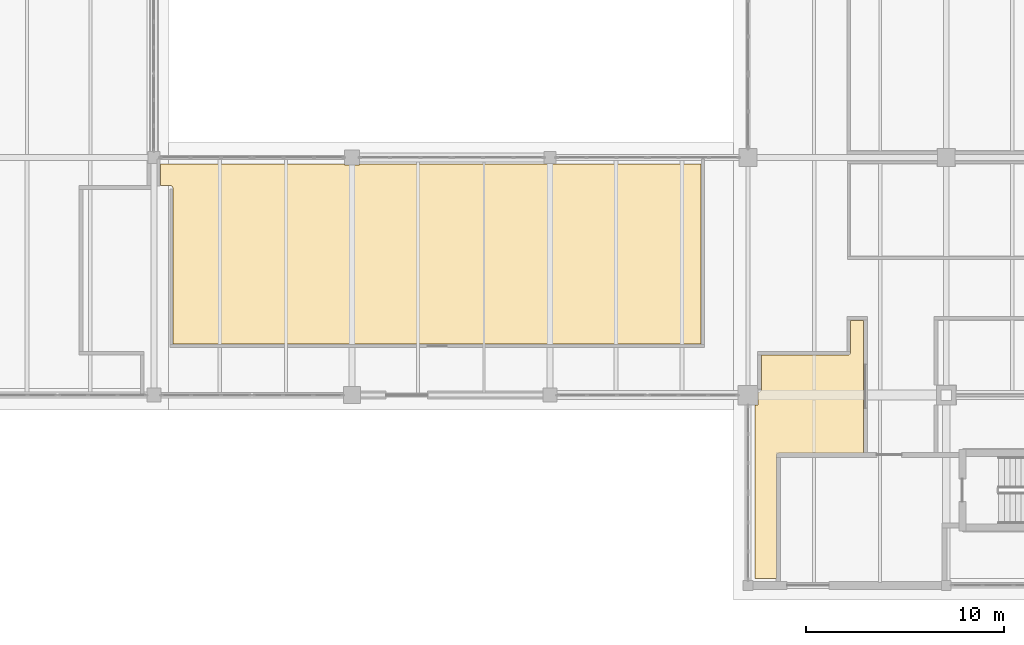
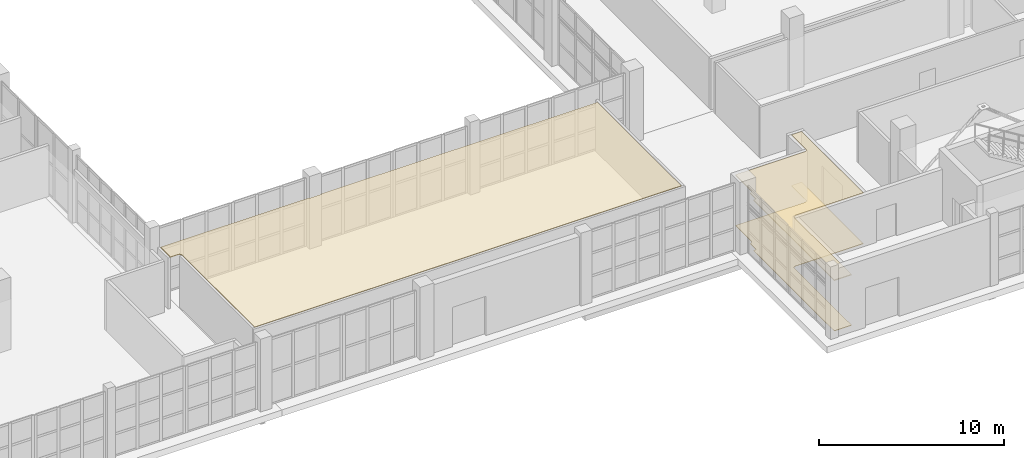
# One storey, part 114 of 121: 3 coverings.
"""IFC4 building model written with IfcOpenShell, lengths in metres."""

from ifc_helpers import new_model, si_unit, direction, frame, origin, place, context, subcontext, project, spatial, polyline, outline, extrude, material, layer, layer_set, type_object, element, save


model = new_model("IFC4")

# Units and contexts
model_context = context("Model", 3, precision=1e-05, world=origin(), true_north=direction((0.0, 1.0)))
body_context = subcontext(model_context, "Body", "Model", "MODEL_VIEW")
ifc_project = project(units=[si_unit("LENGTHUNIT", "METRE"), si_unit("AREAUNIT", "SQUARE_METRE"), si_unit("VOLUMEUNIT", "CUBIC_METRE"), si_unit("PLANEANGLEUNIT", "RADIAN"), si_unit("MASSUNIT", "GRAM", prefix="KILO")], contexts=[model_context])

# Site, building, storey
site_placement = place(None, origin())
site = spatial("IfcSite", under=ifc_project, at=site_placement, CompositionType="ELEMENT")
building_placement = place(site_placement, origin())
building = spatial("IfcBuilding", under=site, at=building_placement, Name="Zereglee Splitstone Museum", CompositionType="ELEMENT")
storey_placement = place(building_placement, origin())
storey = spatial("IfcBuildingStorey", under=building, at=storey_placement, Name="L00", CompositionType="ELEMENT", Elevation=0.0)

# Coverings
ifc_material_1 = material(Name="Perforated acoustic gypsum board ceiling", Category="masonry")
ifc_layer_1 = layer(ifc_material_1, 0.044921875)
ifc_layer_set_1 = layer_set([ifc_layer_1], Name="Perforated acoustic gypsum board ceiling")
covering_type_1 = type_object("IfcCoveringType", Name="CLG-02", PredefinedType="CEILING", material=ifc_layer_set_1)
covering_1_placement = place(storey_placement, frame((0.0, 0.0, 3.3349609375)))
element("IfcCovering", 1, at=covering_1_placement, inside=storey, type_object=covering_type_1, Name="Acoustic Ceiling L00-009", PredefinedType="CEILING", context=body_context, shape_type="SweptSolid", body=[
    extrude(outline(polyline([(146.179931640625, 20.0), (146.179931640625, 20.0009765625), (146.17919921875, 20.0166015625), (146.178955078125, 20.0185546875), (146.1767578125, 20.0341796875), (146.17626953125, 20.0361328125), (146.172607421875, 20.05126953125), (146.171875, 20.05322265625), (146.166748046875, 20.068115234375), (146.166015625, 20.06982421875), (146.1591796875, 20.083984375), (146.158203125, 20.085693359375), (146.150146484375, 20.09912109375), (146.149169921875, 20.100830078125), (146.1396484375, 20.11328125), (146.138427734375, 20.114990234375), (146.1279296875, 20.126708984375), (146.126708984375, 20.1279296875), (146.114990234375, 20.138427734375), (146.11328125, 20.1396484375), (146.100830078125, 20.149169921875), (146.09912109375, 20.150146484375), (146.085693359375, 20.158203125), (146.083984375, 20.1591796875), (146.06982421875, 20.166015625), (146.068115234375, 20.166748046875), (146.05322265625, 20.171875), (146.05126953125, 20.172607421875), (146.0361328125, 20.17626953125), (146.0341796875, 20.1767578125), (146.0185546875, 20.178955078125), (146.0166015625, 20.17919921875), (146.0009765625, 20.179931640625), (146.0, 20.179931640625), (145.5400390625, 20.179931640625), (145.5400390625, 21.260009765625), (154.81689453125, 21.260009765625), (154.81689453125, 21.217041015625), (155.5830078125, 21.217041015625), (155.5830078125, 21.260009765625), (172.820068359375, 21.260009765625), (172.820068359375, 12.179931640625), (146.179931640625, 12.179931640625), (146.179931640625, 20.0)])), origin(), (0.0, 0.0, 1.0), 0.044921875),
])
ifc_material_2 = material(Name="Siberian larch acoustic timber ceiling", Category="wood")
ifc_layer_2 = layer(ifc_material_2, 0.06005859375)
ifc_layer_set_2 = layer_set([ifc_layer_2], Name="Siberian larch acoustic timber ceiling")
covering_type_2 = type_object("IfcCoveringType", Name="CLG-01", PredefinedType="CEILING", material=ifc_layer_set_2)
covering_2_placement = place(storey_placement, frame((0.0, 0.0, 3.320068359375)))
element("IfcCovering", 2, at=covering_2_placement, inside=storey, type_object=covering_type_2, Name="Acoustic Ceiling L00-011", PredefinedType="CEILING", context=body_context, shape_type="SweptSolid", body=[
    extrude(outline(polyline([(175.716796875, 9.74072265625), (175.718505859375, 9.740966796875), (175.734130859375, 9.743408203125), (175.736083984375, 9.74365234375), (175.751220703125, 9.74755859375), (175.753173828125, 9.748046875), (175.76806640625, 9.75341796875), (175.769775390625, 9.754150390625), (175.783935546875, 9.7607421875), (175.78564453125, 9.76171875), (175.79931640625, 9.769775390625), (175.80078125, 9.77099609375), (175.8134765625, 9.7802734375), (175.81494140625, 9.781494140625), (175.82666015625, 9.7919921875), (175.827880859375, 9.79345703125), (175.83837890625, 9.80517578125), (175.839599609375, 9.806640625), (175.84912109375, 9.819091796875), (175.85009765625, 9.82080078125), (175.8583984375, 9.834228515625), (175.859130859375, 9.8359375), (175.865966796875, 9.85009765625), (175.86669921875, 9.85205078125), (175.871826171875, 9.86669921875), (175.87255859375, 9.86865234375), (175.876220703125, 9.8837890625), (175.876708984375, 9.885986328125), (175.87890625, 9.9013671875), (175.879150390625, 9.9033203125), (175.8798828125, 9.9189453125), (175.8798828125, 9.919921875), (175.8798828125, 11.6201171875), (180.199951171875, 11.6201171875), (180.200927734375, 11.6201171875), (180.216796875, 11.620849609375), (180.218505859375, 11.62109375), (180.234130859375, 11.623291015625), (180.236083984375, 11.623779296875), (180.251220703125, 11.62744140625), (180.253173828125, 11.628173828125), (180.26806640625, 11.63330078125), (180.269775390625, 11.634033203125), (180.283935546875, 11.640869140625), (180.28564453125, 11.6416015625), (180.29931640625, 11.64990234375), (180.30078125, 11.65087890625), (180.3134765625, 11.660400390625), (180.31494140625, 11.66162109375), (180.32666015625, 11.672119140625), (180.327880859375, 11.67333984375), (180.33837890625, 11.68505859375), (180.339599609375, 11.6865234375), (180.34912109375, 11.69921875), (180.35009765625, 11.70068359375), (180.3583984375, 11.71435546875), (180.359130859375, 11.716064453125), (180.365966796875, 11.730224609375), (180.36669921875, 11.73193359375), (180.371826171875, 11.746826171875), (180.37255859375, 11.748779296875), (180.376220703125, 11.763916015625), (180.376708984375, 11.765869140625), (180.37890625, 11.781494140625), (180.379150390625, 11.783203125), (180.3798828125, 11.799072265625), (180.3798828125, 11.800048828125), (180.3798828125, 13.3701171875), (181.02001953125, 13.3701171875), (181.02001953125, 6.679931640625), (176.800048828125, 6.679931640625), (176.799072265625, 6.679931640625), (176.783203125, 6.67919921875), (176.781494140625, 6.678955078125), (176.765869140625, 6.6767578125), (176.763916015625, 6.67626953125), (176.748779296875, 6.672607421875), (176.746826171875, 6.671875), (176.73193359375, 6.666748046875), (176.730224609375, 6.666015625), (176.716064453125, 6.6591796875), (176.71435546875, 6.658203125), (176.70068359375, 6.650146484375), (176.69921875, 6.649169921875), (176.6865234375, 6.6396484375), (176.68505859375, 6.638427734375), (176.67333984375, 6.6279296875), (176.672119140625, 6.626708984375), (176.66162109375, 6.614990234375), (176.660400390625, 6.61328125), (176.65087890625, 6.600830078125), (176.64990234375, 6.59912109375), (176.6416015625, 6.585693359375), (176.640869140625, 6.583984375), (176.634033203125, 6.56982421875), (176.63330078125, 6.568115234375), (176.628173828125, 6.55322265625), (176.62744140625, 6.55126953125), (176.623779296875, 6.5361328125), (176.623291015625, 6.5341796875), (176.62109375, 6.5185546875), (176.620849609375, 6.5166015625), (176.6201171875, 6.5009765625), (176.6201171875, 6.5), (176.6201171875, 0.340087890625), (175.5400390625, 0.340087890625), (175.5400390625, 9.092041015625), (175.7080078125, 9.092041015625), (175.7080078125, 9.740478515625), (175.716796875, 9.74072265625)])), origin(), (0.0, 0.0, 1.0), 0.059814453125),
])
ifc_material_3 = material(Name="Honed Gobi granite terrazzo flooring", Category="masonry")
ifc_layer_3 = layer(ifc_material_3, 0.030029296875)
ifc_layer_set_3 = layer_set([ifc_layer_3], Name="Honed Gobi granite terrazzo flooring")
covering_type_3 = type_object("IfcCoveringType", Name="FLR-01", PredefinedType="FLOORING", material=ifc_layer_set_3)
covering_3_placement = place(storey_placement, origin())
element("IfcCovering", 3, at=covering_3_placement, inside=storey, type_object=covering_type_3, Name="Terrazzo Gallery Flooring L00-007", PredefinedType="FLOORING", context=body_context, shape_type="SweptSolid", body=[
    extrude(outline(polyline([(175.716796875, 9.74072265625), (175.718505859375, 9.740966796875), (175.734130859375, 9.743408203125), (175.736083984375, 9.74365234375), (175.751220703125, 9.74755859375), (175.753173828125, 9.748046875), (175.76806640625, 9.75341796875), (175.769775390625, 9.754150390625), (175.783935546875, 9.7607421875), (175.78564453125, 9.76171875), (175.79931640625, 9.769775390625), (175.80078125, 9.77099609375), (175.8134765625, 9.7802734375), (175.81494140625, 9.781494140625), (175.82666015625, 9.7919921875), (175.827880859375, 9.79345703125), (175.83837890625, 9.80517578125), (175.839599609375, 9.806640625), (175.84912109375, 9.819091796875), (175.85009765625, 9.82080078125), (175.8583984375, 9.834228515625), (175.859130859375, 9.8359375), (175.865966796875, 9.85009765625), (175.86669921875, 9.85205078125), (175.871826171875, 9.86669921875), (175.87255859375, 9.86865234375), (175.876220703125, 9.8837890625), (175.876708984375, 9.885986328125), (175.87890625, 9.9013671875), (175.879150390625, 9.9033203125), (175.8798828125, 9.9189453125), (175.8798828125, 9.919921875), (175.8798828125, 11.6201171875), (180.199951171875, 11.6201171875), (180.200927734375, 11.6201171875), (180.216796875, 11.620849609375), (180.218505859375, 11.62109375), (180.234130859375, 11.623291015625), (180.236083984375, 11.623779296875), (180.251220703125, 11.62744140625), (180.253173828125, 11.628173828125), (180.26806640625, 11.63330078125), (180.269775390625, 11.634033203125), (180.283935546875, 11.640869140625), (180.28564453125, 11.6416015625), (180.29931640625, 11.64990234375), (180.30078125, 11.65087890625), (180.3134765625, 11.660400390625), (180.31494140625, 11.66162109375), (180.32666015625, 11.672119140625), (180.327880859375, 11.67333984375), (180.33837890625, 11.68505859375), (180.339599609375, 11.6865234375), (180.34912109375, 11.69921875), (180.35009765625, 11.70068359375), (180.3583984375, 11.71435546875), (180.359130859375, 11.716064453125), (180.365966796875, 11.730224609375), (180.36669921875, 11.73193359375), (180.371826171875, 11.746826171875), (180.37255859375, 11.748779296875), (180.376220703125, 11.763916015625), (180.376708984375, 11.765869140625), (180.37890625, 11.781494140625), (180.379150390625, 11.783203125), (180.3798828125, 11.799072265625), (180.3798828125, 11.800048828125), (180.3798828125, 13.3701171875), (181.02001953125, 13.3701171875), (181.02001953125, 6.679931640625), (176.800048828125, 6.679931640625), (176.799072265625, 6.679931640625), (176.783203125, 6.67919921875), (176.781494140625, 6.678955078125), (176.765869140625, 6.6767578125), (176.763916015625, 6.67626953125), (176.748779296875, 6.672607421875), (176.746826171875, 6.671875), (176.73193359375, 6.666748046875), (176.730224609375, 6.666015625), (176.716064453125, 6.6591796875), (176.71435546875, 6.658203125), (176.70068359375, 6.650146484375), (176.69921875, 6.649169921875), (176.6865234375, 6.6396484375), (176.68505859375, 6.638427734375), (176.67333984375, 6.6279296875), (176.672119140625, 6.626708984375), (176.66162109375, 6.614990234375), (176.660400390625, 6.61328125), (176.65087890625, 6.600830078125), (176.64990234375, 6.59912109375), (176.6416015625, 6.585693359375), (176.640869140625, 6.583984375), (176.634033203125, 6.56982421875), (176.63330078125, 6.568115234375), (176.628173828125, 6.55322265625), (176.62744140625, 6.55126953125), (176.623779296875, 6.5361328125), (176.623291015625, 6.5341796875), (176.62109375, 6.5185546875), (176.620849609375, 6.5166015625), (176.6201171875, 6.5009765625), (176.6201171875, 6.5), (176.6201171875, 0.340087890625), (175.5400390625, 0.340087890625), (175.5400390625, 9.092041015625), (175.7080078125, 9.092041015625), (175.7080078125, 9.740478515625), (175.716796875, 9.74072265625)])), origin(), (0.0, 0.0, 1.0), 0.030029296875),
])

save(model, "model.ifc")
